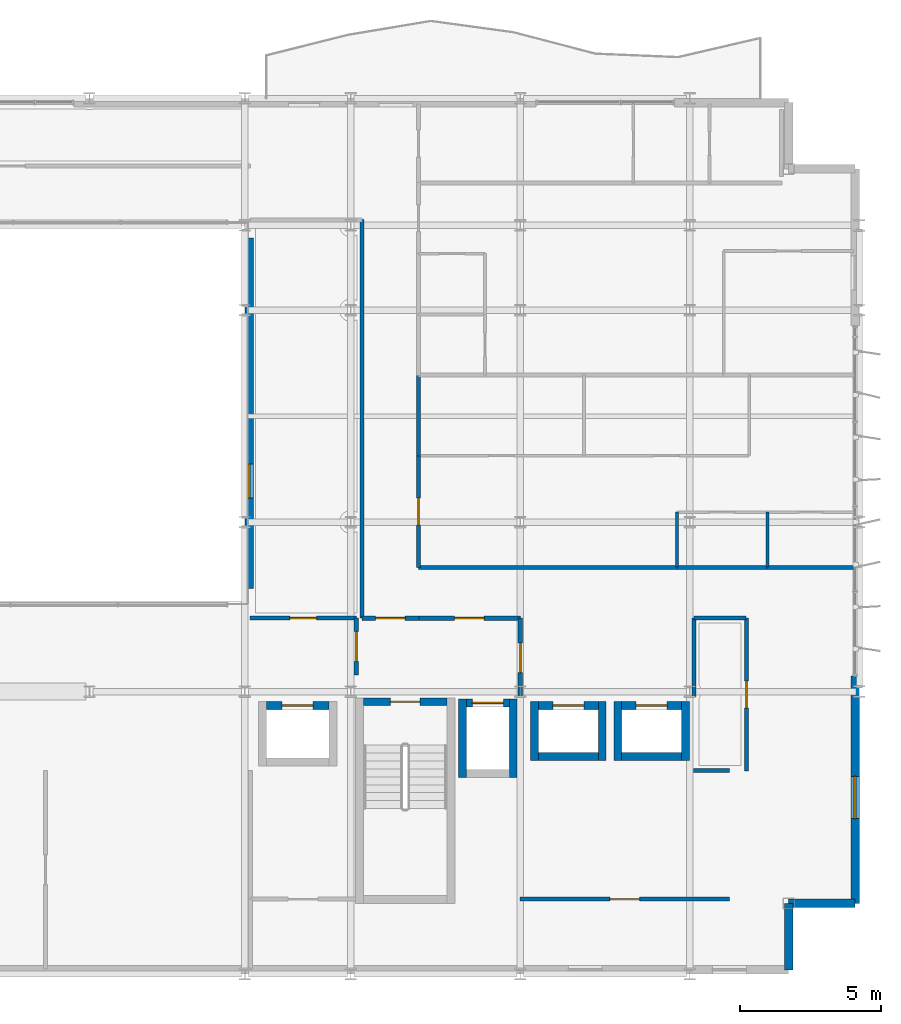
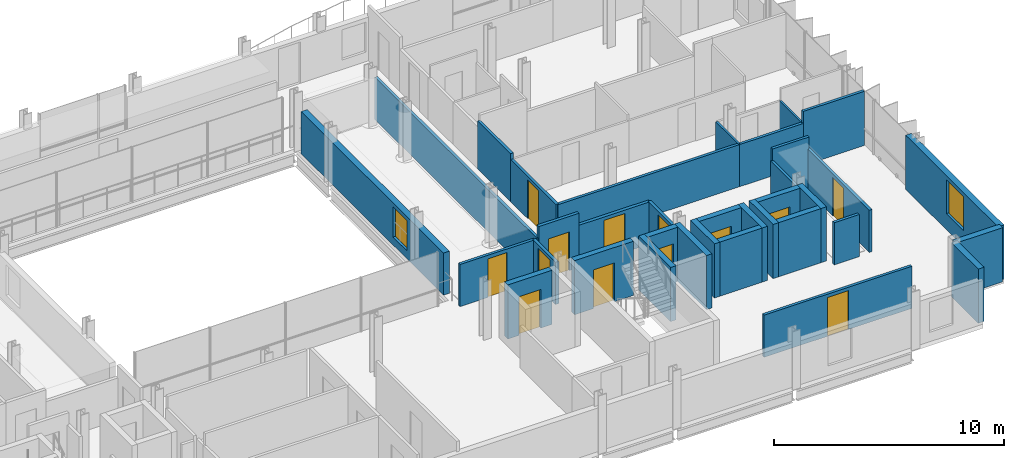
# One storey, part 32 of 38: 35 walls, 13 doors, 2 windows, 15 openings.
"""IFC4 building model written with IfcOpenShell, lengths in metres."""

from ifc_helpers import new_model, si_unit, direction, frame, frame_2d, origin, place, context, subcontext, project, spatial, rectangle, extrude, material, layer, layer_set, type_object, element, fill, save


model = new_model("IFC4")

# Units and contexts
model_context = context("Model", 3, precision=1e-05, world=origin(), true_north=direction((0.0, 1.0)))
body_context = subcontext(model_context, "Body", "Model", "MODEL_VIEW")
ifc_project = project(units=[si_unit("LENGTHUNIT", "METRE"), si_unit("AREAUNIT", "SQUARE_METRE"), si_unit("VOLUMEUNIT", "CUBIC_METRE"), si_unit("PLANEANGLEUNIT", "RADIAN"), si_unit("MASSUNIT", "GRAM", prefix="KILO")], contexts=[model_context])

# Site, building, storey
site_placement = place(None, origin())
site = spatial("IfcSite", under=ifc_project, at=site_placement, CompositionType="ELEMENT")
building_placement = place(site_placement, origin())
building = spatial("IfcBuilding", under=site, at=building_placement, Name="Brevholm Reach", CompositionType="ELEMENT")
storey_placement = place(building_placement, frame((0.0, 0.0, 141.800048828125)))
storey = spatial("IfcBuildingStorey", under=building, at=storey_placement, Name="L42", CompositionType="ELEMENT", Elevation=141.800048828125)

# Wall, opening, door
ifc_material_1 = material(Name="Concrete C50/60", Category="concrete")
ifc_layer_1 = layer(ifc_material_1, 0.280029296875)
ifc_layer_set_1 = layer_set([ifc_layer_1], Name="Concrete C50/60")
wall_type_1 = type_object("IfcWallType", Name="WAL-COR-280", PredefinedType="SHEAR", material=ifc_layer_set_1)
wall_1_placement = place(storey_placement, frame((45.39990234375, 9.639892578125, 0.0), z_axis=(0.0, 0.0, 1.0), x_axis=(-1.0, 0.0, 0.0)))
wall_1 = element("IfcWall", 1, at=wall_1_placement, inside=storey, type_object=wall_type_1, Name="L42 Escape Stair ST-2 Core Wall N", PredefinedType="SHEAR", context=body_context, shape_type="SweptSolid", body=[
    extrude(rectangle(XDim=2.949951171875, YDim=0.280029296875, at=frame_2d((1.47509765625, 0.0))), origin(), (0.0, 0.0, 1.0), 2.8798828125),
])
opening_1_placement = place(wall_1_placement, frame((0.949951171875, 0.0, 0.0)))
opening_1 = element("IfcOpeningElement", 2, at=opening_1_placement, cuts=wall_1, Name="Opening SD-ST-2", PredefinedType="OPENING", context=body_context, shape_type="SweptSolid", body=[
    extrude(rectangle(XDim=1.050048828125, YDim=2.06005859375, at=frame_2d((0.52490234375, 1.030029296875))), frame((0.0, 0.14990234375, 0.0), z_axis=(0.0, -1.0, 0.0), x_axis=(1.0, 0.0, 0.0)), (0.0, 0.0, 1.0), 0.300048828125),
])
ifc_material_2 = material(Name="Hardwood-Lipped Steel-Core Fire and Smoke Door", Category="steel")
door_type_1 = type_object("IfcDoorType", Name="DOR-INT-FD60S", OperationType="NOTDEFINED", PredefinedType="DOOR", material=ifc_material_2)
door_1_placement = place(opening_1_placement, origin())
door_1 = element("IfcDoor", 3, at=door_1_placement, inside=storey, type_object=door_type_1, Name="L42 Protected Stair ST-2 Lobby Door", OperationType="SINGLE_SWING_LEFT", OverallHeight=2.06005859375, OverallWidth=1.050048828125, PredefinedType="DOOR", context=body_context, shape_type="SweptSolid", body=[
    extrude(rectangle(XDim=1.050048828125, YDim=2.06005859375, at=frame_2d((0.52490234375, 1.030029296875))), frame((0.0, 0.02490234375, 0.0), z_axis=(0.0, -1.0, 0.0), x_axis=(1.0, 0.0, 0.0)), (0.0, 0.0, 1.0), 0.050048828125),
])
fill(opening_1, door_1)

# Walls
for number, where, z_axis, x_axis, name in (
    (4, (45.949951171875, 6.9599609375, 0.0), (0.0, 0.0, 1.0), (0.0, 1.0, 0.0), "L42 Lift FFL-2 Shaft Wall W"),
    (5, (47.75, 6.9599609375, 0.0), (0.0, 0.0, 1.0), (0.0, 1.0, 0.0), "L42 Lift FFL-2 Shaft Wall E"),
):
    element("IfcWall", number, at=place(storey_placement, frame(where, z_axis=z_axis, x_axis=x_axis)), inside=storey, type_object=wall_type_1, Name=name, PredefinedType="SHEAR", context=body_context, shape_type="SweptSolid", body=[
        extrude(rectangle(XDim=2.780029296875, YDim=0.280029296875, at=frame_2d((1.39013671875, 0.0))), origin(), (0.0, 0.0, 1.0), 2.8798828125),
    ])

# Wall, opening, door
wall_2_placement = place(storey_placement, frame((46.090087890625, 9.60009765625, 0.0), z_axis=(0.0, 0.0, 1.0), x_axis=(1.0, 0.0, 0.0)))
wall_2 = element("IfcWall", 6, at=wall_2_placement, inside=storey, type_object=wall_type_1, Name="L42 Lift FFL-2 Shaft Wall N", PredefinedType="SHEAR", context=body_context, shape_type="SweptSolid", body=[
    extrude(rectangle(XDim=1.52001953125, YDim=0.280029296875, at=frame_2d((0.760009765625, 0.0))), origin(), (0.0, 0.0, 1.0), 2.8798828125),
])
opening_2_placement = place(wall_2_placement, frame((0.2099609375, 0.0, 0.0)))
opening_2 = element("IfcOpeningElement", 7, at=opening_2_placement, cuts=wall_2, Name="Opening LD-FFL-2", PredefinedType="OPENING", context=body_context, shape_type="SweptSolid", body=[
    extrude(rectangle(XDim=1.10009765625, YDim=2.06005859375, at=frame_2d((0.550048828125, 1.030029296875))), frame((0.0, 0.14990234375, 0.0), z_axis=(0.0, -1.0, 0.0), x_axis=(1.0, 0.0, 0.0)), (0.0, 0.0, 1.0), 0.300048828125),
])
ifc_material_3 = material(Name="Brushed Stainless Steel Fire-Rated Sliding Lift Door", Category="steel")
door_type_2 = type_object("IfcDoorType", Name="DOR-LFT-1100", OperationType="NOTDEFINED", PredefinedType="DOOR", material=ifc_material_3)
door_2_placement = place(opening_2_placement, origin())
door_2 = element("IfcDoor", 8, at=door_2_placement, inside=storey, type_object=door_type_2, Name="L42 Lift FFL-2 Sliding Landing Door", OperationType="SLIDING_TO_LEFT", OverallHeight=2.06005859375, OverallWidth=1.10009765625, PredefinedType="DOOR", context=body_context, shape_type="SweptSolid", body=[
    extrude(rectangle(XDim=1.10009765625, YDim=2.06005859375, at=frame_2d((0.550048828125, 1.030029296875))), frame((0.0, 0.02490234375, 0.0), z_axis=(0.0, -1.0, 0.0), x_axis=(1.0, 0.0, 0.0)), (0.0, 0.0, 1.0), 0.050048828125),
])
fill(opening_2, door_2)

wall_3_placement = place(storey_placement, frame((39.010009765625, 9.5, 0.0), z_axis=(0.0, 0.0, 1.0), x_axis=(1.0, 0.0, 0.0)))
wall_3 = element("IfcWall", 9, at=wall_3_placement, inside=storey, type_object=wall_type_1, Name="L42 Lift PL-S1 Shaft Wall N", PredefinedType="SHEAR", context=body_context, shape_type="SweptSolid", body=[
    extrude(rectangle(XDim=2.219970703125, YDim=0.280029296875, at=frame_2d((1.10986328125, 0.0))), origin(), (0.0, 0.0, 1.0), 2.8798828125),
])
opening_3_placement = place(wall_3_placement, frame((0.56005859375, 0.0, 0.0)))
opening_3 = element("IfcOpeningElement", 10, at=opening_3_placement, cuts=wall_3, Name="Opening LD-PL-S1", PredefinedType="OPENING", context=body_context, shape_type="SweptSolid", body=[
    extrude(rectangle(XDim=1.10009765625, YDim=2.06005859375, at=frame_2d((0.550048828125, 1.030029296875))), frame((0.0, 0.14990234375, 0.0), z_axis=(0.0, -1.0, 0.0), x_axis=(1.0, 0.0, 0.0)), (0.0, 0.0, 1.0), 0.300048828125),
])
door_3_placement = place(opening_3_placement, origin())
door_3 = element("IfcDoor", 11, at=door_3_placement, inside=storey, type_object=door_type_2, Name="L42 Lift PL-S1 Sliding Landing Door", OperationType="SLIDING_TO_RIGHT", OverallHeight=2.06005859375, OverallWidth=1.10009765625, PredefinedType="DOOR", context=body_context, shape_type="SweptSolid", body=[
    extrude(rectangle(XDim=1.10009765625, YDim=2.06005859375, at=frame_2d((0.550048828125, 1.030029296875))), frame((0.0, 0.02490234375, 0.0), z_axis=(0.0, -1.0, 0.0), x_axis=(1.0, 0.0, 0.0)), (0.0, 0.0, 1.0), 0.050048828125),
])
fill(opening_3, door_3)

# Walls
for number, where, z_axis, x_axis, name in (
    (12, (48.5, 7.56005859375, 0.0), (0.0, 0.0, 1.0), (0.0, 1.0, 0.0), "L42 Lift PL-H1 Shaft Wall W"),
    (13, (50.89990234375, 7.56005859375, 0.0), (0.0, 0.0, 1.0), (0.0, 1.0, 0.0), "L42 Lift PL-H1 Shaft Wall E"),
):
    element("IfcWall", number, at=place(storey_placement, frame(where, z_axis=z_axis, x_axis=x_axis)), inside=storey, type_object=wall_type_1, Name=name, PredefinedType="SHEAR", context=body_context, shape_type="SweptSolid", body=[
        extrude(rectangle(XDim=2.079833984375, YDim=0.280029296875, at=frame_2d((1.0400390625, 0.0))), origin(), (0.0, 0.0, 1.0), 2.8798828125),
    ])
wall_4_placement = place(storey_placement, frame((48.639892578125, 7.699951171875, 0.0), z_axis=(0.0, 0.0, 1.0), x_axis=(1.0, 0.0, 0.0)))
element("IfcWall", 14, at=wall_4_placement, inside=storey, type_object=wall_type_1, Name="L42 Lift PL-H1 Shaft Wall S", PredefinedType="SHEAR", context=body_context, shape_type="SweptSolid", body=[
    extrude(rectangle(XDim=2.1201171875, YDim=0.280029296875, at=frame_2d((1.06005859375, 0.0))), origin(), (0.0, 0.0, 1.0), 2.8798828125),
])

# Wall, opening, door
wall_5_placement = place(storey_placement, frame((48.639892578125, 9.5, 0.0), z_axis=(0.0, 0.0, 1.0), x_axis=(1.0, 0.0, 0.0)))
wall_5 = element("IfcWall", 15, at=wall_5_placement, inside=storey, type_object=wall_type_1, Name="L42 Lift PL-H1 Shaft Wall N", PredefinedType="SHEAR", context=body_context, shape_type="SweptSolid", body=[
    extrude(rectangle(XDim=2.1201171875, YDim=0.280029296875, at=frame_2d((1.06005859375, 0.0))), origin(), (0.0, 0.0, 1.0), 2.8798828125),
])
opening_4_placement = place(wall_5_placement, frame((0.510009765625, 0.0, 0.0)))
opening_4 = element("IfcOpeningElement", 16, at=opening_4_placement, cuts=wall_5, Name="Opening LD-PL-H1", PredefinedType="OPENING", context=body_context, shape_type="SweptSolid", body=[
    extrude(rectangle(XDim=1.10009765625, YDim=2.06005859375, at=frame_2d((0.550048828125, 1.030029296875))), frame((0.0, 0.14990234375, 0.0), z_axis=(0.0, -1.0, 0.0), x_axis=(1.0, 0.0, 0.0)), (0.0, 0.0, 1.0), 0.300048828125),
])
door_4_placement = place(opening_4_placement, origin())
door_4 = element("IfcDoor", 17, at=door_4_placement, inside=storey, type_object=door_type_2, Name="L42 Lift PL-H1 Sliding Landing Door", OperationType="SLIDING_TO_LEFT", OverallHeight=2.06005859375, OverallWidth=1.10009765625, PredefinedType="DOOR", context=body_context, shape_type="SweptSolid", body=[
    extrude(rectangle(XDim=1.10009765625, YDim=2.06005859375, at=frame_2d((0.550048828125, 1.030029296875))), frame((0.0, 0.02490234375, 0.0), z_axis=(0.0, -1.0, 0.0), x_axis=(1.0, 0.0, 0.0)), (0.0, 0.0, 1.0), 0.050048828125),
])
fill(opening_4, door_4)

# Walls
for number, where, z_axis, x_axis, name in (
    (18, (51.449951171875, 7.56005859375, 0.0), (0.0, 0.0, 1.0), (0.0, 1.0, 0.0), "L42 Lift PL-H2 Shaft Wall W"),
    (19, (53.85009765625, 7.56005859375, 0.0), (0.0, 0.0, 1.0), (0.0, 1.0, 0.0), "L42 Lift PL-H2 Shaft Wall E"),
):
    element("IfcWall", number, at=place(storey_placement, frame(where, z_axis=z_axis, x_axis=x_axis)), inside=storey, type_object=wall_type_1, Name=name, PredefinedType="SHEAR", context=body_context, shape_type="SweptSolid", body=[
        extrude(rectangle(XDim=2.079833984375, YDim=0.280029296875, at=frame_2d((1.0400390625, 0.0))), origin(), (0.0, 0.0, 1.0), 2.8798828125),
    ])
wall_6_placement = place(storey_placement, frame((51.590087890625, 7.699951171875, 0.0), z_axis=(0.0, 0.0, 1.0), x_axis=(1.0, 0.0, 0.0)))
element("IfcWall", 20, at=wall_6_placement, inside=storey, type_object=wall_type_1, Name="L42 Lift PL-H2 Shaft Wall S", PredefinedType="SHEAR", context=body_context, shape_type="SweptSolid", body=[
    extrude(rectangle(XDim=2.119873046875, YDim=0.280029296875, at=frame_2d((1.06005859375, 0.0))), origin(), (0.0, 0.0, 1.0), 2.8798828125),
])

# Wall, opening, door
wall_7_placement = place(storey_placement, frame((51.590087890625, 9.5, 0.0), z_axis=(0.0, 0.0, 1.0), x_axis=(1.0, 0.0, 0.0)))
wall_7 = element("IfcWall", 21, at=wall_7_placement, inside=storey, type_object=wall_type_1, Name="L42 Lift PL-H2 Shaft Wall N", PredefinedType="SHEAR", context=body_context, shape_type="SweptSolid", body=[
    extrude(rectangle(XDim=2.119873046875, YDim=0.280029296875, at=frame_2d((1.06005859375, 0.0))), origin(), (0.0, 0.0, 1.0), 2.8798828125),
])
opening_5_placement = place(wall_7_placement, frame((0.510009765625, 0.0, 0.0)))
opening_5 = element("IfcOpeningElement", 22, at=opening_5_placement, cuts=wall_7, Name="Opening LD-PL-H2", PredefinedType="OPENING", context=body_context, shape_type="SweptSolid", body=[
    extrude(rectangle(XDim=1.10009765625, YDim=2.06005859375, at=frame_2d((0.550048828125, 1.030029296875))), frame((0.0, 0.14990234375, 0.0), z_axis=(0.0, -1.0, 0.0), x_axis=(1.0, 0.0, 0.0)), (0.0, 0.0, 1.0), 0.300048828125),
])
door_5_placement = place(opening_5_placement, origin())
door_5 = element("IfcDoor", 23, at=door_5_placement, inside=storey, type_object=door_type_2, Name="L42 Lift PL-H2 Sliding Landing Door", OperationType="SLIDING_TO_RIGHT", OverallHeight=2.06005859375, OverallWidth=1.10009765625, PredefinedType="DOOR", context=body_context, shape_type="SweptSolid", body=[
    extrude(rectangle(XDim=1.10009765625, YDim=2.06005859375, at=frame_2d((0.550048828125, 1.030029296875))), frame((0.0, 0.02490234375, 0.0), z_axis=(0.0, -1.0, 0.0), x_axis=(1.0, 0.0, 0.0)), (0.0, 0.0, 1.0), 0.050048828125),
])
fill(opening_5, door_5)

# Walls
ifc_material_4 = material(Name="Concrete C40/50", Category="concrete")
ifc_layer_2 = layer(ifc_material_4, 0.300048828125)
ifc_layer_set_2 = layer_set([ifc_layer_2], Name="Concrete C40/50")
wall_type_2 = type_object("IfcWallType", Name="WAL-EXT-300", PredefinedType="STANDARD", material=ifc_layer_set_2)
for number, where, z_axis, x_axis, name in (
    (24, (57.5, 0.14990234375, 0.0), (0.0, 0.0, 1.0), (0.0, 1.0, 0.0), "L42 Facade Wall WAL-L42-CSE1"),
    (25, (57.5, 2.5, 0.0), (0.0, 0.0, 1.0), (1.0, 0.0, 0.0), "L42 Facade Wall WAL-L42-CSE2"),
):
    element("IfcWall", number, at=place(storey_placement, frame(where, z_axis=z_axis, x_axis=x_axis)), inside=storey, type_object=wall_type_2, Name=name, PredefinedType="STANDARD", context=body_context, shape_type="SweptSolid", body=[
        extrude(rectangle(XDim=2.35009765625, YDim=0.300048828125, at=frame_2d((1.175048828125, 0.0))), origin(), (0.0, 0.0, 1.0), 2.8798828125),
    ])

# Wall, opening, window
wall_8_placement = place(storey_placement, frame((59.85009765625, 2.5, 0.0), z_axis=(0.0, 0.0, 1.0), x_axis=(0.0, 1.0, 0.0)))
wall_8 = element("IfcWall", 26, at=wall_8_placement, inside=storey, type_object=wall_type_2, Name="L42 Facade Wall WAL-L42-E-S", PredefinedType="STANDARD", context=body_context, shape_type="SweptSolid", body=[
    extrude(rectangle(XDim=8.050048828125, YDim=0.300048828125, at=frame_2d((4.02490234375, 0.0))), origin(), (0.0, 0.0, 1.0), 2.8798828125),
])
opening_6_placement = place(wall_8_placement, frame((3.0, 0.0, 0.860107421875)))
opening_6 = element("IfcOpeningElement", 27, at=opening_6_placement, cuts=wall_8, Name="Opening WN-05", PredefinedType="OPENING", context=body_context, shape_type="SweptSolid", body=[
    extrude(rectangle(XDim=1.5, YDim=1.800048828125, at=frame_2d((0.75, 0.89990234375))), frame((0.0, 0.159912109375, 0.0), z_axis=(0.0, -1.0, 0.0), x_axis=(1.0, 0.0, 0.0)), (0.0, 0.0, 1.0), 0.320068359375),
])
ifc_material_5 = material(Name="Dark Anodised Aluminium and Solar-Control IGU Glass", Category="aluminium")
window_type_1 = type_object("IfcWindowType", Name="WIN-RES-1500", PartitioningType="SINGLE_PANEL", PredefinedType="WINDOW", material=ifc_material_5)
window_1_placement = place(opening_6_placement, origin())
window_1 = element("IfcWindow", 28, at=window_1_placement, inside=storey, type_object=window_type_1, Name="L42 Window WIN-L42-ES-1", OverallHeight=1.800048828125, OverallWidth=1.5, PartitioningType="SINGLE_PANEL", PredefinedType="WINDOW", context=body_context, shape_type="SweptSolid", body=[
    extrude(rectangle(XDim=1.5, YDim=1.800048828125, at=frame_2d((0.75, 0.89990234375))), frame((0.0, 0.030029296875, 0.0), z_axis=(0.0, -1.0, 0.0), x_axis=(1.0, 0.0, 0.0)), (0.0, 0.0, 1.0), 0.06005859375),
])
fill(opening_6, window_1)

wall_9_placement = place(storey_placement, frame((38.39990234375, 13.64990234375, 0.0), z_axis=(0.0, 0.0, 1.0), x_axis=(0.0, 1.0, 0.0)))
wall_9 = element("IfcWall", 29, at=wall_9_placement, inside=storey, type_object=wall_type_2, Name="L42 Facade Wall WAL-L42-AT-E", PredefinedType="STANDARD", context=body_context, shape_type="SweptSolid", body=[
    extrude(rectangle(XDim=12.400146484375, YDim=0.300048828125, at=frame_2d((6.2001953125, 0.0))), origin(), (0.0, 0.0, 1.0), 2.24267578125),
])
opening_7_placement = place(wall_9_placement, frame((3.199951171875, 0.0, 0.423095703125)))
opening_7 = element("IfcOpeningElement", 30, at=opening_7_placement, cuts=wall_9, Name="Opening WN-08", PredefinedType="OPENING", context=body_context, shape_type="SweptSolid", body=[
    extrude(rectangle(XDim=1.199951171875, YDim=1.60009765625, at=frame_2d((0.60009765625, 0.800048828125))), frame((0.0, 0.159912109375, 0.0), z_axis=(0.0, -1.0, 0.0), x_axis=(1.0, 0.0, 0.0)), (0.0, 0.0, 1.0), 0.320068359375),
])
ifc_material_6 = material(Name="Dark Anodised Aluminium and Solar-Control IGU Glass", Category="aluminium")
window_type_2 = type_object("IfcWindowType", Name="WIN-RES-1200", PartitioningType="SINGLE_PANEL", PredefinedType="WINDOW", material=ifc_material_6)
window_2_placement = place(opening_7_placement, origin())
window_2 = element("IfcWindow", 31, at=window_2_placement, inside=storey, type_object=window_type_2, Name="L42 Window WIN-L42-AT-E1", OverallHeight=1.60009765625, OverallWidth=1.199951171875, PartitioningType="SINGLE_PANEL", PredefinedType="WINDOW", context=body_context, shape_type="SweptSolid", body=[
    extrude(rectangle(XDim=1.199951171875, YDim=1.60009765625, at=frame_2d((0.60009765625, 0.800048828125))), frame((0.0, 0.030029296875, 0.0), z_axis=(0.0, -1.0, 0.0), x_axis=(1.0, 0.0, 0.0)), (0.0, 0.0, 1.0), 0.06005859375),
])
fill(opening_7, window_2)

# Walls
ifc_material_7 = material(Name="Moisture-Resistant Acoustic Gypsum Stud Partition 100 mm", Category="gypsum")
ifc_layer_3 = layer(ifc_material_7, 0.10009765625)
ifc_layer_set_3 = layer_set([ifc_layer_3], Name="Moisture-Resistant Acoustic Gypsum Stud Partition 100 mm")
wall_type_3 = type_object("IfcWallType", Name="WAL-PRT-100", PredefinedType="PARTITIONING", material=ifc_layer_set_3)
for number, where, z_axis, x_axis, name in (
    (32, (56.75, 14.404052734375, 0.0), (0.0, 0.0, 1.0), (0.0, 1.0, 0.0), "L42 Internal Partition 091"),
    (33, (53.550048828125, 14.404052734375, 0.0), (0.0, 0.0, 1.0), (0.0, 1.0, 0.0), "L42 Internal Partition 094"),
):
    element("IfcWall", number, at=place(storey_placement, frame(where, z_axis=z_axis, x_axis=x_axis)), inside=storey, type_object=wall_type_3, Name=name, PredefinedType="PARTITIONING", context=body_context, shape_type="SweptSolid", body=[
        extrude(rectangle(XDim=1.946044921875, YDim=0.10009765625, at=frame_2d((0.97314453125, 0.0))), origin(), (0.0, 0.0, 1.0), 2.24267578125),
    ])

# Wall, opening, door
ifc_material_8 = material(Name="Twin-Stud Acoustic Fire-Rated Gypsum Partition 140 mm", Category="gypsum")
ifc_layer_4 = layer(ifc_material_8, 0.139892578125)
ifc_layer_set_4 = layer_set([ifc_layer_4], Name="Twin-Stud Acoustic Fire-Rated Gypsum Partition 140 mm")
wall_type_4 = type_object("IfcWallType", Name="WAL-PRT-140", PredefinedType="PARTITIONING", material=ifc_layer_set_4)
wall_10_placement = place(storey_placement, frame((56.0, 7.188720703125, 0.0), z_axis=(0.0, 0.0, 1.0), x_axis=(0.0, 1.0, 0.0)))
wall_10 = element("IfcWall", 34, at=wall_10_placement, inside=storey, type_object=wall_type_4, Name="L42 Internal Partition 012", PredefinedType="PARTITIONING", context=body_context, shape_type="SweptSolid", body=[
    extrude(rectangle(XDim=5.411376953125, YDim=0.139892578125, at=frame_2d((2.70556640625, 0.0))), origin(), (0.0, 0.0, 1.0), 2.24267578125),
])
opening_8_placement = place(wall_10_placement, frame((2.230712890625, 0.0, 0.0)))
opening_8 = element("IfcOpeningElement", 35, at=opening_8_placement, cuts=wall_10, Name="Opening ID-30", PredefinedType="OPENING", context=body_context, shape_type="SweptSolid", body=[
    extrude(rectangle(XDim=0.949951171875, YDim=2.050048828125, at=frame_2d((0.47509765625, 1.02490234375))), frame((0.0, 0.079833984375, 0.0), z_axis=(0.0, -1.0, 0.0), x_axis=(1.0, 0.0, 0.0)), (0.0, 0.0, 1.0), 0.159912109375),
])
ifc_material_9 = material(Name="European Oak Veneered Solid-Core Fire Entrance Door", Category="timber")
door_type_3 = type_object("IfcDoorType", Name="DOR-FLT-FD30S", OperationType="NOTDEFINED", PredefinedType="DOOR", material=ifc_material_9)
door_6_placement = place(opening_8_placement, origin())
door_6 = element("IfcDoor", 36, at=door_6_placement, inside=storey, type_object=door_type_3, Name="L42 Internal Door 005", OperationType="SINGLE_SWING_LEFT", OverallHeight=2.050048828125, OverallWidth=0.949951171875, PredefinedType="DOOR", context=body_context, shape_type="SweptSolid", body=[
    extrude(rectangle(XDim=0.949951171875, YDim=2.050048828125, at=frame_2d((0.47509765625, 1.02490234375))), frame((0.0, 0.02490234375, 0.0), z_axis=(0.0, -1.0, 0.0), x_axis=(1.0, 0.0, 0.0)), (0.0, 0.0, 1.0), 0.050048828125),
])
fill(opening_8, door_6)

wall_11_placement = place(storey_placement, frame((47.98876953125, 2.64990234375, 0.0), z_axis=(0.0, 0.0, 1.0), x_axis=(1.0, 0.0, 0.0)))
wall_11 = element("IfcWall", 37, at=wall_11_placement, inside=storey, type_object=wall_type_4, Name="L42 Internal Partition 014", PredefinedType="PARTITIONING", context=body_context, shape_type="SweptSolid", body=[
    extrude(rectangle(XDim=7.422607421875, YDim=0.139892578125, at=frame_2d((3.71142578125, 0.0))), origin(), (0.0, 0.0, 1.0), 2.24267578125),
])
opening_9_placement = place(wall_11_placement, frame((3.186279296875, 0.0, 0.0)))
opening_9 = element("IfcOpeningElement", 38, at=opening_9_placement, cuts=wall_11, Name="Opening FD-01", PredefinedType="OPENING", context=body_context, shape_type="SweptSolid", body=[
    extrude(rectangle(XDim=1.050048828125, YDim=2.06005859375, at=frame_2d((0.52490234375, 1.030029296875))), frame((0.0, 0.079833984375, 0.0), z_axis=(0.0, -1.0, 0.0), x_axis=(1.0, 0.0, 0.0)), (0.0, 0.0, 1.0), 0.159912109375),
])
door_7_placement = place(opening_9_placement, origin())
door_7 = element("IfcDoor", 39, at=door_7_placement, inside=storey, type_object=door_type_1, Name="L42 Internal Door 007", OperationType="SINGLE_SWING_LEFT", OverallHeight=2.06005859375, OverallWidth=1.050048828125, PredefinedType="DOOR", context=body_context, shape_type="SweptSolid", body=[
    extrude(rectangle(XDim=1.050048828125, YDim=2.06005859375, at=frame_2d((0.52490234375, 1.030029296875))), frame((0.0, 0.02490234375, 0.0), z_axis=(0.0, -1.0, 0.0), x_axis=(1.0, 0.0, 0.0)), (0.0, 0.0, 1.0), 0.050048828125),
])
fill(opening_9, door_7)

# Walls
wall_12_placement = place(storey_placement, frame((54.138671875, 7.199951171875, 0.0), z_axis=(0.0, 0.0, 1.0), x_axis=(1.0, 0.0, 0.0)))
element("IfcWall", 40, at=wall_12_placement, inside=storey, type_object=wall_type_4, Name="L42 Internal Partition 019", PredefinedType="PARTITIONING", context=body_context, shape_type="SweptSolid", body=[
    extrude(rectangle(XDim=1.26123046875, YDim=0.139892578125, at=frame_2d((0.630615234375, 0.0))), origin(), (0.0, 0.0, 1.0), 2.24267578125),
])
wall_13_placement = place(storey_placement, frame((54.14990234375, 9.800048828125, 0.0), z_axis=(0.0, 0.0, 1.0), x_axis=(0.0, 1.0, 0.0)))
element("IfcWall", 41, at=wall_13_placement, inside=storey, type_object=wall_type_4, Name="L42 Internal Partition 031", PredefinedType="PARTITIONING", context=body_context, shape_type="SweptSolid", body=[
    extrude(rectangle(XDim=2.800048828125, YDim=0.139892578125, at=frame_2d((1.39990234375, 0.0))), origin(), (0.0, 0.0, 1.0), 2.24267578125),
])
wall_14_placement = place(storey_placement, frame((54.154052734375, 12.60009765625, 0.0), z_axis=(0.0, 0.0, 1.0), x_axis=(1.0, 0.0, 0.0)))
element("IfcWall", 42, at=wall_14_placement, inside=storey, type_object=wall_type_4, Name="L42 Internal Partition 032", PredefinedType="PARTITIONING", context=body_context, shape_type="SweptSolid", body=[
    extrude(rectangle(XDim=1.842041015625, YDim=0.139892578125, at=frame_2d((0.9208984375, 0.0))), origin(), (0.0, 0.0, 1.0), 2.8798828125),
])

# Wall, opening, door
wall_15_placement = place(storey_placement, frame((38.438720703125, 12.60009765625, 0.0), z_axis=(0.0, 0.0, 1.0), x_axis=(1.0, 0.0, 0.0)))
wall_15 = element("IfcWall", 43, at=wall_15_placement, inside=storey, type_object=wall_type_4, Name="L42 Internal Partition 033", PredefinedType="PARTITIONING", context=body_context, shape_type="SweptSolid", body=[
    extrude(rectangle(XDim=3.75732421875, YDim=0.139892578125, at=frame_2d((1.878662109375, 0.0))), origin(), (0.0, 0.0, 1.0), 2.24267578125),
])
opening_10_placement = place(wall_15_placement, frame((1.40380859375, 0.0, 0.0)))
opening_10 = element("IfcOpeningElement", 44, at=opening_10_placement, cuts=wall_15, Name="Opening ID-30", PredefinedType="OPENING", context=body_context, shape_type="SweptSolid", body=[
    extrude(rectangle(XDim=0.949951171875, YDim=2.050048828125, at=frame_2d((0.47509765625, 1.02490234375))), frame((0.0, 0.079833984375, 0.0), z_axis=(0.0, -1.0, 0.0), x_axis=(1.0, 0.0, 0.0)), (0.0, 0.0, 1.0), 0.159912109375),
])
door_8_placement = place(opening_10_placement, origin())
door_8 = element("IfcDoor", 45, at=door_8_placement, inside=storey, type_object=door_type_3, Name="L42 Internal Door 017", OperationType="SINGLE_SWING_LEFT", OverallHeight=2.050048828125, OverallWidth=0.949951171875, PredefinedType="DOOR", context=body_context, shape_type="SweptSolid", body=[
    extrude(rectangle(XDim=0.949951171875, YDim=2.050048828125, at=frame_2d((0.47509765625, 1.02490234375))), frame((0.0, 0.02490234375, 0.0), z_axis=(0.0, -1.0, 0.0), x_axis=(1.0, 0.0, 0.0)), (0.0, 0.0, 1.0), 0.050048828125),
])
fill(opening_10, door_8)

# Wall
wall_16_placement = place(storey_placement, frame((44.39990234375, 18.338623046875, 0.0), z_axis=(0.0, 0.0, 1.0), x_axis=(0.0, 1.0, 0.0)))
element("IfcWall", 46, at=wall_16_placement, inside=storey, type_object=wall_type_4, Name="L42 Internal Partition 042", PredefinedType="PARTITIONING", context=body_context, shape_type="SweptSolid", body=[
    extrude(rectangle(XDim=2.87255859375, YDim=0.139892578125, at=frame_2d((1.436279296875, 0.0))), origin(), (0.0, 0.0, 1.0), 2.551513671875),
])

# Wall, opening, door
wall_17_placement = place(storey_placement, frame((44.39990234375, 14.392578125, 0.0), z_axis=(0.0, 0.0, 1.0), x_axis=(0.0, 1.0, 0.0)))
wall_17 = element("IfcWall", 47, at=wall_17_placement, inside=storey, type_object=wall_type_4, Name="L42 Internal Partition 043", PredefinedType="PARTITIONING", context=body_context, shape_type="SweptSolid", body=[
    extrude(rectangle(XDim=3.96484375, YDim=0.139892578125, at=frame_2d((1.982421875, 0.0))), origin(), (0.0, 0.0, 1.0), 2.24267578125),
])
opening_11_placement = place(wall_17_placement, frame((1.50732421875, 0.0, 0.0)))
opening_11 = element("IfcOpeningElement", 48, at=opening_11_placement, cuts=wall_17, Name="Opening ID-30", PredefinedType="OPENING", context=body_context, shape_type="SweptSolid", body=[
    extrude(rectangle(XDim=0.949951171875, YDim=2.050048828125, at=frame_2d((0.47509765625, 1.02490234375))), frame((0.0, 0.079833984375, 0.0), z_axis=(0.0, -1.0, 0.0), x_axis=(1.0, 0.0, 0.0)), (0.0, 0.0, 1.0), 0.159912109375),
])
door_9_placement = place(opening_11_placement, origin())
door_9 = element("IfcDoor", 49, at=door_9_placement, inside=storey, type_object=door_type_3, Name="L42 Internal Door 022", OperationType="SINGLE_SWING_RIGHT", OverallHeight=2.050048828125, OverallWidth=0.949951171875, PredefinedType="DOOR", context=body_context, shape_type="SweptSolid", body=[
    extrude(rectangle(XDim=0.949951171875, YDim=2.050048828125, at=frame_2d((0.47509765625, 1.02490234375))), frame((0.0, 0.02490234375, 0.0), z_axis=(0.0, -1.0, 0.0), x_axis=(1.0, 0.0, 0.0)), (0.0, 0.0, 1.0), 0.050048828125),
])
fill(opening_11, door_9)

# Walls
wall_18_placement = place(storey_placement, frame((42.39990234375, 12.60400390625, 0.0), z_axis=(0.0, 0.0, 1.0), x_axis=(0.0, 1.0, 0.0)))
element("IfcWall", 50, at=wall_18_placement, inside=storey, type_object=wall_type_4, Name="L42 Internal Partition 047", PredefinedType="PARTITIONING", context=body_context, shape_type="SweptSolid", body=[
    extrude(rectangle(XDim=14.103271484375, YDim=0.139892578125, at=frame_2d((7.0517578125, 0.0))), origin(), (0.0, 0.0, 1.0), 2.24267578125),
])
wall_19_placement = place(storey_placement, frame((56.73876953125, 14.39990234375, 0.0), z_axis=(0.0, 0.0, 1.0), x_axis=(1.0, 0.0, 0.0)))
element("IfcWall", 51, at=wall_19_placement, inside=storey, type_object=wall_type_4, Name="L42 Internal Partition 049", PredefinedType="PARTITIONING", context=body_context, shape_type="SweptSolid", body=[
    extrude(rectangle(XDim=3.072509765625, YDim=0.139892578125, at=frame_2d((1.5361328125, 0.0))), origin(), (0.0, 0.0, 1.0), 2.8798828125),
])
wall_20_placement = place(storey_placement, frame((53.538818359375, 14.39990234375, 0.0), z_axis=(0.0, 0.0, 1.0), x_axis=(1.0, 0.0, 0.0)))
element("IfcWall", 52, at=wall_20_placement, inside=storey, type_object=wall_type_4, Name="L42 Internal Partition 050", PredefinedType="PARTITIONING", context=body_context, shape_type="SweptSolid", body=[
    extrude(rectangle(XDim=3.218505859375, YDim=0.139892578125, at=frame_2d((1.609375, 0.0))), origin(), (0.0, 0.0, 1.0), 2.24267578125),
])
wall_21_placement = place(storey_placement, frame((44.404052734375, 14.39990234375, 0.0), z_axis=(0.0, 0.0, 1.0), x_axis=(1.0, 0.0, 0.0)))
element("IfcWall", 53, at=wall_21_placement, inside=storey, type_object=wall_type_4, Name="L42 Internal Partition 051", PredefinedType="PARTITIONING", context=body_context, shape_type="SweptSolid", body=[
    extrude(rectangle(XDim=9.1533203125, YDim=0.139892578125, at=frame_2d((4.57666015625, 0.0))), origin(), (0.0, 0.0, 1.0), 2.24267578125),
])

# Wall, opening, door
ifc_material_10 = material(Name="Twin-Frame Fire-Rated Gypsum Board and Mineral Wool 160 mm", Category="gypsum")
ifc_layer_5 = layer(ifc_material_10, 0.159912109375)
ifc_layer_set_5 = layer_set([ifc_layer_5], Name="Twin-Frame Fire-Rated Gypsum Board and Mineral Wool 160 mm")
wall_type_5 = type_object("IfcWallType", Name="WAL-PRT-160", PredefinedType="PARTITIONING", material=ifc_layer_set_5)
wall_22_placement = place(storey_placement, frame((48.0, 9.788818359375, 0.0), z_axis=(0.0, 0.0, 1.0), x_axis=(0.0, 1.0, 0.0)))
wall_22 = element("IfcWall", 54, at=wall_22_placement, inside=storey, type_object=wall_type_5, Name="L42 Internal Partition 027", PredefinedType="PARTITIONING", context=body_context, shape_type="SweptSolid", body=[
    extrude(rectangle(XDim=2.811279296875, YDim=0.159912109375, at=frame_2d((1.40576171875, 0.0))), origin(), (0.0, 0.0, 1.0), 2.24267578125),
])
opening_12_placement = place(wall_22_placement, frame((0.880615234375, 0.0, 0.0)))
opening_12 = element("IfcOpeningElement", 55, at=opening_12_placement, cuts=wall_22, Name="Opening FD-01", PredefinedType="OPENING", context=body_context, shape_type="SweptSolid", body=[
    extrude(rectangle(XDim=1.050048828125, YDim=2.06005859375, at=frame_2d((0.52490234375, 1.030029296875))), frame((0.0, 0.08984375, 0.0), z_axis=(0.0, -1.0, 0.0), x_axis=(1.0, 0.0, 0.0)), (0.0, 0.0, 1.0), 0.179931640625),
])
door_10_placement = place(opening_12_placement, origin())
door_10 = element("IfcDoor", 56, at=door_10_placement, inside=storey, type_object=door_type_1, Name="L42 Internal Door 013", OperationType="SINGLE_SWING_LEFT", OverallHeight=2.06005859375, OverallWidth=1.050048828125, PredefinedType="DOOR", context=body_context, shape_type="SweptSolid", body=[
    extrude(rectangle(XDim=1.050048828125, YDim=2.06005859375, at=frame_2d((0.52490234375, 1.030029296875))), frame((0.0, 0.02490234375, 0.0), z_axis=(0.0, -1.0, 0.0), x_axis=(1.0, 0.0, 0.0)), (0.0, 0.0, 1.0), 0.050048828125),
])
fill(opening_12, door_10)

wall_23_placement = place(storey_placement, frame((42.199951171875, 10.588623046875, 0.0), z_axis=(0.0, 0.0, 1.0), x_axis=(0.0, 1.0, 0.0)))
wall_23 = element("IfcWall", 57, at=wall_23_placement, inside=storey, type_object=wall_type_5, Name="L42 Internal Partition 028", PredefinedType="PARTITIONING", context=body_context, shape_type="SweptSolid", body=[
    extrude(rectangle(XDim=2.011474609375, YDim=0.159912109375, at=frame_2d((1.005859375, 0.0))), origin(), (0.0, 0.0, 1.0), 2.24267578125),
])
opening_13_placement = place(wall_23_placement, frame((0.480712890625, 0.0, 0.0)))
opening_13 = element("IfcOpeningElement", 58, at=opening_13_placement, cuts=wall_23, Name="Opening FD-01", PredefinedType="OPENING", context=body_context, shape_type="SweptSolid", body=[
    extrude(rectangle(XDim=1.050048828125, YDim=2.06005859375, at=frame_2d((0.52490234375, 1.030029296875))), frame((0.0, 0.08984375, 0.0), z_axis=(0.0, -1.0, 0.0), x_axis=(1.0, 0.0, 0.0)), (0.0, 0.0, 1.0), 0.179931640625),
])
door_11_placement = place(opening_13_placement, origin())
door_11 = element("IfcDoor", 59, at=door_11_placement, inside=storey, type_object=door_type_1, Name="L42 Internal Door 014", OperationType="SINGLE_SWING_RIGHT", OverallHeight=2.06005859375, OverallWidth=1.050048828125, PredefinedType="DOOR", context=body_context, shape_type="SweptSolid", body=[
    extrude(rectangle(XDim=1.050048828125, YDim=2.06005859375, at=frame_2d((0.52490234375, 1.030029296875))), frame((0.0, 0.02490234375, 0.0), z_axis=(0.0, -1.0, 0.0), x_axis=(1.0, 0.0, 0.0)), (0.0, 0.0, 1.0), 0.050048828125),
])
fill(opening_13, door_11)

wall_24_placement = place(storey_placement, frame((42.388671875, 12.60009765625, 0.0), z_axis=(0.0, 0.0, 1.0), x_axis=(1.0, 0.0, 0.0)))
wall_24 = element("IfcWall", 60, at=wall_24_placement, inside=storey, type_object=wall_type_5, Name="L42 Internal Partition 029", PredefinedType="PARTITIONING", context=body_context, shape_type="SweptSolid", body=[
    extrude(rectangle(XDim=2.022705078125, YDim=0.159912109375, at=frame_2d((1.01123046875, 0.0))), origin(), (0.0, 0.0, 1.0), 2.8798828125),
])
opening_14_placement = place(wall_24_placement, frame((0.486328125, 0.0, 0.0)))
opening_14 = element("IfcOpeningElement", 61, at=opening_14_placement, cuts=wall_24, Name="Opening FD-01", PredefinedType="OPENING", context=body_context, shape_type="SweptSolid", body=[
    extrude(rectangle(XDim=1.050048828125, YDim=2.06005859375, at=frame_2d((0.52490234375, 1.030029296875))), frame((0.0, 0.08984375, 0.0), z_axis=(0.0, -1.0, 0.0), x_axis=(1.0, 0.0, 0.0)), (0.0, 0.0, 1.0), 0.179931640625),
])
door_12_placement = place(opening_14_placement, origin())
door_12 = element("IfcDoor", 62, at=door_12_placement, inside=storey, type_object=door_type_1, Name="L42 Internal Door 015", OperationType="SINGLE_SWING_LEFT", OverallHeight=2.06005859375, OverallWidth=1.050048828125, PredefinedType="DOOR", context=body_context, shape_type="SweptSolid", body=[
    extrude(rectangle(XDim=1.050048828125, YDim=2.06005859375, at=frame_2d((0.52490234375, 1.030029296875))), frame((0.0, 0.02490234375, 0.0), z_axis=(0.0, -1.0, 0.0), x_axis=(1.0, 0.0, 0.0)), (0.0, 0.0, 1.0), 0.050048828125),
])
fill(opening_14, door_12)

wall_25_placement = place(storey_placement, frame((44.392578125, 12.60009765625, 0.0), z_axis=(0.0, 0.0, 1.0), x_axis=(1.0, 0.0, 0.0)))
wall_25 = element("IfcWall", 63, at=wall_25_placement, inside=storey, type_object=wall_type_5, Name="L42 Internal Partition 030", PredefinedType="PARTITIONING", context=body_context, shape_type="SweptSolid", body=[
    extrude(rectangle(XDim=3.607421875, YDim=0.159912109375, at=frame_2d((1.8037109375, 0.0))), origin(), (0.0, 0.0, 1.0), 2.24267578125),
])
opening_15_placement = place(wall_25_placement, frame((1.27880859375, 0.0, 0.0)))
opening_15 = element("IfcOpeningElement", 64, at=opening_15_placement, cuts=wall_25, Name="Opening FD-01", PredefinedType="OPENING", context=body_context, shape_type="SweptSolid", body=[
    extrude(rectangle(XDim=1.050048828125, YDim=2.06005859375, at=frame_2d((0.52490234375, 1.030029296875))), frame((0.0, 0.08984375, 0.0), z_axis=(0.0, -1.0, 0.0), x_axis=(1.0, 0.0, 0.0)), (0.0, 0.0, 1.0), 0.179931640625),
])
door_13_placement = place(opening_15_placement, origin())
door_13 = element("IfcDoor", 65, at=door_13_placement, inside=storey, type_object=door_type_1, Name="L42 Internal Door 016", OperationType="SINGLE_SWING_RIGHT", OverallHeight=2.06005859375, OverallWidth=1.050048828125, PredefinedType="DOOR", context=body_context, shape_type="SweptSolid", body=[
    extrude(rectangle(XDim=1.050048828125, YDim=2.06005859375, at=frame_2d((0.52490234375, 1.030029296875))), frame((0.0, 0.02490234375, 0.0), z_axis=(0.0, -1.0, 0.0), x_axis=(1.0, 0.0, 0.0)), (0.0, 0.0, 1.0), 0.050048828125),
])
fill(opening_15, door_13)

save(model, "model.ifc")
